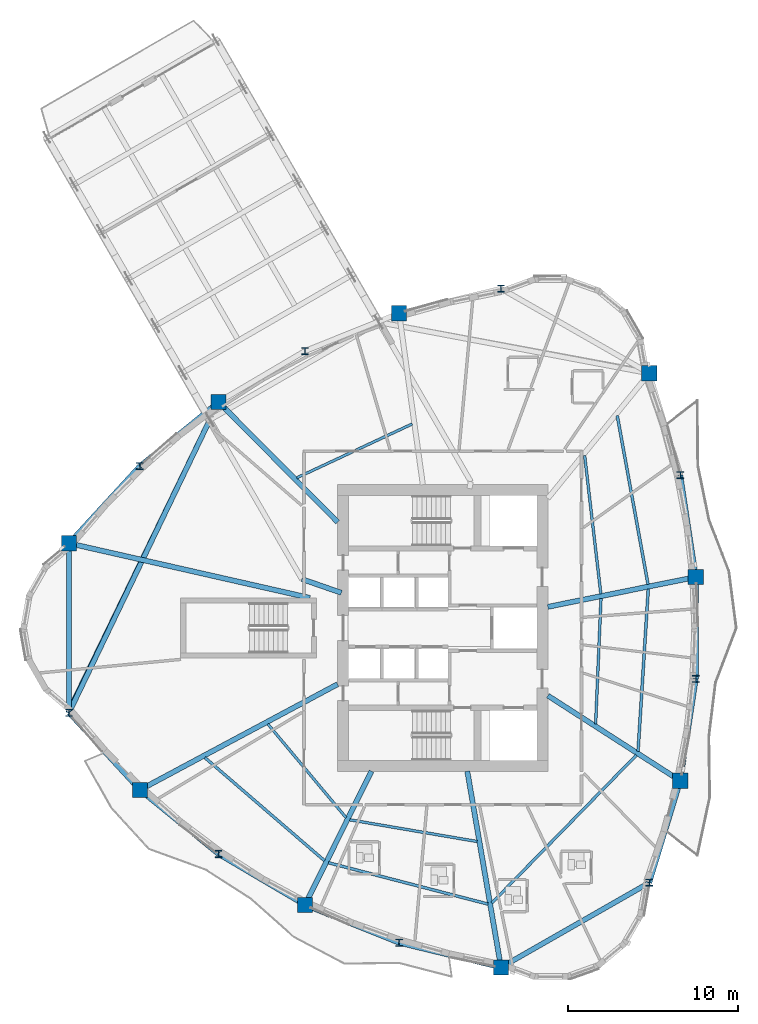
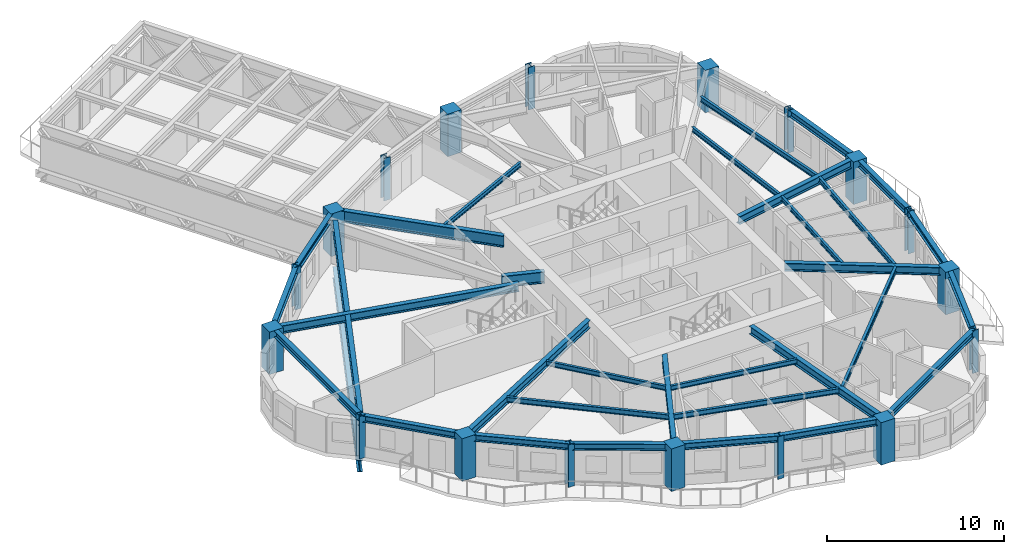
# One storey, part 1 of 16: 33 beams, 18 columns.
"""IFC4 building model written with IfcOpenShell, lengths in metres."""

import ifcopenshell
import ifcopenshell.guid

model = None  # the IFC model being written
_history = None  # IfcOwnerHistory: only IFC2X3 demands one
_inside = {}  # id of a spatial element -> (the spatial element, [elements in it])
_under = {}  # id of a project, library or spatial element -> (it, [spatial elements below it])
_declared = {}  # id of a project -> (the project, [libraries it declares])
_typed = {}  # id of a type object -> (the type object, [elements of that type])
_made_of = {}  # id of a material, layer set ... -> (it, [elements and type objects made of it])


def new_model(schema):
    """Start an empty IFC model of exactly this schema.

    Asked for "IFC4X3", IfcOpenShell would pick the latest addendum, in which some entities
    have other attributes; the version numbers below select the first issue.
    IFC2X3 requires an IfcOwnerHistory on every rooted entity: one is made here for all.
    """
    global model, _history
    if schema == "IFC4X3":
        model = ifcopenshell.file(schema_version=(4, 3, 0, 0))
    else:
        model = ifcopenshell.file(schema=schema)
    _inside.clear()
    _under.clear()
    _declared.clear()
    _typed.clear()
    _made_of.clear()
    _history = None
    if model.schema == "IFC2X3":
        org = make("IfcOrganization", Name="unknown")
        user = make(
            "IfcPersonAndOrganization",
            ThePerson=make("IfcPerson", FamilyName="unknown"),
            TheOrganization=org,
        )
        app = make(
            "IfcApplication",
            ApplicationDeveloper=org,
            Version="unknown",
            ApplicationFullName="unknown",
            ApplicationIdentifier="unknown",
        )
        _history = make(
            "IfcOwnerHistory",
            OwningUser=user,
            OwningApplication=app,
            ChangeAction="ADDED",
            CreationDate=0,
        )
    return model


def make(cls, **values):
    """One entity of the class cls with the attributes given. An attribute that is None is left unset."""
    return model.create_entity(
        cls, **{name: value for name, value in values.items() if value is not None}
    )


def rooted(cls, **values):
    """An entity with a GlobalId (a new one), such as an element, a storey or a relation."""
    return make(cls, GlobalId=ifcopenshell.guid.new(), OwnerHistory=_history, **values)


def si_unit(unit_type, name, prefix=None):
    """IfcSIUnit, for example si_unit("LENGTHUNIT", "METRE", prefix="MILLI")."""
    return make("IfcSIUnit", UnitType=unit_type, Prefix=prefix, Name=name)


def assignment(units):
    """IfcUnitAssignment: the units of a project."""
    return None if units is None else make("IfcUnitAssignment", Units=units)


def point(xyz):
    """IfcCartesianPoint."""
    return None if xyz is None else make("IfcCartesianPoint", Coordinates=xyz)


def direction(xyz):
    """IfcDirection."""
    return None if xyz is None else make("IfcDirection", DirectionRatios=xyz)


def frame(location, z_axis=None, x_axis=None):
    """IfcAxis2Placement3D, a coordinate frame: its origin and axes. An axis left out is left unset."""
    return make(
        "IfcAxis2Placement3D",
        Location=point(location),
        Axis=direction(z_axis),
        RefDirection=direction(x_axis),
    )


def frame_2d(location, x_axis=None):
    """IfcAxis2Placement2D, a coordinate frame in the plane: its origin and x axis."""
    return make(
        "IfcAxis2Placement2D", Location=point(location), RefDirection=direction(x_axis)
    )


def origin():
    """The frame at (0, 0, 0) with its axes left unset."""
    return frame((0.0, 0.0, 0.0))


def origin_2d():
    """The frame at (0, 0) in the plane with its x axis left unset."""
    return frame_2d((0.0, 0.0))


def place(relative_to, where):
    """IfcLocalPlacement: puts the frame where relative to a parent placement (None: the world)."""
    return make(
        "IfcLocalPlacement", PlacementRelTo=relative_to, RelativePlacement=where
    )


def context(
    kind, dimensions, precision=None, world=None, true_north=None, identifier=None
):
    """IfcGeometricRepresentationContext, for example the 3D "Model" context."""
    return make(
        "IfcGeometricRepresentationContext",
        ContextIdentifier=identifier,
        ContextType=kind,
        CoordinateSpaceDimension=dimensions,
        Precision=precision,
        WorldCoordinateSystem=world,
        TrueNorth=true_north,
    )


def subcontext(parent, identifier, kind, view, scale=None):
    """IfcGeometricRepresentationSubContext, for example "Body" below "Model"."""
    return make(
        "IfcGeometricRepresentationSubContext",
        ContextIdentifier=identifier,
        ContextType=kind,
        ParentContext=parent,
        TargetScale=scale,
        TargetView=view,
    )


def project(units=None, contexts=None):
    """IfcProject with its units and contexts."""
    return rooted(
        "IfcProject",
        Name="project",
        RepresentationContexts=contexts,
        UnitsInContext=assignment(units),
    )


def spatial(cls, under=None, at=None, **own):
    """A site, building, storey or space (cls), placed at a placement, below another one or the project."""
    s = rooted(cls, ObjectPlacement=at, **own)
    if under is not None:
        _under.setdefault(under.id(), (under, []))[1].append(s)
    return s


def profile(cls, at=None, kind="AREA", **sizes):
    """A parametric profile (cls). Its sizes go by their IFC names, for example OverallWidth=200.0."""
    return make(cls, ProfileType=kind, Position=at, **sizes)


def rectangle(**sizes):
    """IfcRectangleProfileDef."""
    return profile("IfcRectangleProfileDef", **sizes)


def i_section(**sizes):
    """IfcIShapeProfileDef."""
    return profile("IfcIShapeProfileDef", **sizes)


def extrude(swept, where, along, depth):
    """IfcExtrudedAreaSolid: the profile swept, set in the frame where, extruded along a direction by depth."""
    return make(
        "IfcExtrudedAreaSolid",
        SweptArea=swept,
        Position=where,
        ExtrudedDirection=direction(along),
        Depth=depth,
    )


def shape(context_of_items, identifier, shape_type, items):
    """IfcShapeRepresentation: the items that make up one representation, for example the "Body"."""
    return make(
        "IfcShapeRepresentation",
        ContextOfItems=context_of_items,
        RepresentationIdentifier=identifier,
        RepresentationType=shape_type,
        Items=items,
    )


def source(mapping_origin, context_of_items, identifier, shape_type, items):
    """IfcRepresentationMap: a shape defined once, which mapped items show again and again."""
    return make(
        "IfcRepresentationMap",
        MappingOrigin=mapping_origin,
        MappedRepresentation=shape(context_of_items, identifier, shape_type, items),
    )


def transform(
    local_origin,
    x_axis=None,
    y_axis=None,
    z_axis=None,
    scale=None,
    scale2=None,
    scale3=None,
    uniform=True,
):
    """IfcCartesianTransformationOperator3D, or its non-uniform kind. x_axis, y_axis, z_axis: its Axis1, 2, 3."""
    if uniform:
        return make(
            "IfcCartesianTransformationOperator3D",
            Axis1=direction(x_axis),
            Axis2=direction(y_axis),
            LocalOrigin=point(local_origin),
            Scale=scale,
            Axis3=direction(z_axis),
        )
    return make(
        "IfcCartesianTransformationOperator3DnonUniform",
        Axis1=direction(x_axis),
        Axis2=direction(y_axis),
        LocalOrigin=point(local_origin),
        Scale=scale,
        Axis3=direction(z_axis),
        Scale2=scale2,
        Scale3=scale3,
    )


def mapped(mapping_source, mapping_target):
    """IfcMappedItem: shows the shape of a source again, moved by a transform."""
    return make(
        "IfcMappedItem", MappingSource=mapping_source, MappingTarget=mapping_target
    )


def material(Name=None, Category=None):
    """IfcMaterial."""
    return make("IfcMaterial", Name=Name, Category=Category)


def material_profile(
    of_material, cross_section, Name=None, Category=None, Priority=None
):
    """IfcMaterialProfile: a cross section and its material."""
    return make(
        "IfcMaterialProfile",
        Name=Name,
        Material=of_material,
        Profile=cross_section,
        Priority=Priority,
        Category=Category,
    )


def profile_set(profiles, Name=None, composite=None):
    """IfcMaterialProfileSet."""
    return make(
        "IfcMaterialProfileSet",
        Name=Name,
        MaterialProfiles=profiles,
        CompositeProfile=composite,
    )


def made_of(thing, what):
    """Note that an element or type object is made of a material, layer set ...; save() writes the relation."""
    if what is not None:
        _made_of.setdefault(what.id(), (what, []))[1].append(thing)
    return thing


def type_object(cls, material=None, **own):
    """A type object (cls), such as IfcWallType, which elements share."""
    return made_of(rooted(cls, **own), material)


def element(
    cls,
    number,
    at=None,
    inside=None,
    cuts=None,
    type_object=None,
    material=None,
    context=None,
    identifier="Body",
    shape_type=None,
    held_by="IfcProductDefinitionShape",
    body=None,
    shapes=None,
    **own,
):
    """One element of the class cls, such as IfcWall. Its Tag is "e" and its number.

    at: its placement. inside: the storey or other place that contains it. cuts: it is an
    opening in that element (IfcRelVoidsElement). A single representation is given by context,
    identifier, shape_type and body (its items); several are given by shapes. held_by: the class
    of the entity that holds the representations. save() writes the other relations.
    """
    e = rooted(cls, Tag="e%d" % number, ObjectPlacement=at, **own)
    if body is not None:
        shapes = [shape(context, identifier, shape_type, body)]
    if shapes is not None:
        e.Representation = make(held_by, Representations=shapes)
    if inside is not None:
        _inside.setdefault(inside.id(), (inside, []))[1].append(e)
    if cuts is not None:
        rooted(
            "IfcRelVoidsElement", RelatingBuildingElement=cuts, RelatedOpeningElement=e
        )
    if type_object is not None:
        _typed.setdefault(type_object.id(), (type_object, []))[1].append(e)
    return made_of(e, material)


def aggregate(whole, parts):
    """IfcRelAggregates: a whole, such as a stair, and the parts it consists of."""
    return rooted("IfcRelAggregates", RelatingObject=whole, RelatedObjects=parts)


def save(model, path):
    """Write the relations noted so far, then the file.

    IfcRelAggregates (storeys below a building ...), IfcRelContainedInSpatialStructure (elements
    in a storey), IfcRelDefinesByType, IfcRelAssociatesMaterial and IfcRelDeclares: one each for
    every whole, place, type object, material and project.
    """
    for whole, parts in _under.values():
        aggregate(whole, parts)
    for where, things in _inside.values():
        rooted(
            "IfcRelContainedInSpatialStructure",
            RelatedElements=things,
            RelatingStructure=where,
        )
    for kind, things in _typed.values():
        rooted("IfcRelDefinesByType", RelatedObjects=things, RelatingType=kind)
    for what, things in _made_of.values():
        rooted("IfcRelAssociatesMaterial", RelatedObjects=things, RelatingMaterial=what)
    for by, libraries in _declared.values():
        rooted("IfcRelDeclares", RelatingContext=by, RelatedDefinitions=libraries)
    model.write(path)


model = new_model("IFC4")

# Units and contexts
model_context = context("Model", 3, precision=1e-05, world=origin(), true_north=direction((0.0, 1.0)))
body_context = subcontext(model_context, "Body", "Model", "MODEL_VIEW")
ifc_project = project(units=[si_unit("LENGTHUNIT", "METRE"), si_unit("AREAUNIT", "SQUARE_METRE"), si_unit("VOLUMEUNIT", "CUBIC_METRE"), si_unit("PLANEANGLEUNIT", "RADIAN"), si_unit("MASSUNIT", "GRAM", prefix="KILO")], contexts=[model_context])

# Site, building, storey
site_placement = place(None, origin())
site = spatial("IfcSite", under=ifc_project, at=site_placement, CompositionType="ELEMENT")
building_placement = place(site_placement, origin())
building = spatial("IfcBuilding", under=site, at=building_placement, Name="Qafzar Sky-Pleat Residences", CompositionType="ELEMENT")
storey_placement = place(building_placement, frame((0.0, 0.0, 80.0)))
storey = spatial("IfcBuildingStorey", under=building, at=storey_placement, Name="L23", CompositionType="ELEMENT", Elevation=80.0)

# Columns
ifc_material_1 = material(Name="Concrete C60/75", Category="concrete")
ifc_material_profile_1 = material_profile(ifc_material_1, rectangle(XDim=0.89990234375, YDim=0.89990234375, at=origin_2d()), Name="RC 900x900")
ifc_profile_set_1 = profile_set([ifc_material_profile_1], Name="Concrete C60/75")
column_type_1 = type_object("IfcColumnType", Name="COL-RC-900", PredefinedType="COLUMN", material=ifc_profile_set_1)
shared_shape_1 = source(origin(), body_context, "Body", "SweptSolid", [
    extrude(rectangle(XDim=0.89990234375, YDim=0.89990234375, at=origin_2d()), origin(), (0.0, 0.0, 1.0), 2.93505859375),
])
for number, where, z_axis, x_axis, name in (
    (1, (8.310302734375, 30.996337890625, 0.0), (0.0, 0.0, 1.0), (1.0, 0.0, 0.0), "L23 Perimeter Mega Column 1"),
    (2, (12.49267578125, 16.45068359375, 0.0), (0.0, 0.0, 1.0), (1.0, 0.0, 0.0), "L23 Perimeter Mega Column 3"),
    (3, (22.2265625, 9.668701171875, 0.0), (0.0, 0.0, 1.0), (1.0, 0.0, 0.0), "L23 Perimeter Mega Column 5"),
    (4, (33.787109375, 5.984619140625, 0.0), (0.0, 0.0, 1.0), (1.0, 0.0, 0.0), "L23 Perimeter Mega Column 7"),
    (5, (44.35888671875, 16.988525390625, 0.0), (0.0, 0.0, 1.0), (1.0, 0.0, 0.0), "L23 Perimeter Mega Column 9"),
    (6, (45.27197265625, 29.00390625, 0.0), (0.0, 0.0, 1.0), (1.0, 0.0, 0.0), "L23 Perimeter Mega Column 11"),
    (7, (42.532470703125, 41.01904296875, 0.0), (0.0, 0.0, 1.0), (1.0, 0.0, 0.0), "L23 Perimeter Mega Column 13"),
    (8, (27.778564453125, 44.560546875, 0.0), (0.0, 0.0, 1.0), (1.0, 0.0, 0.0), "L23 Perimeter Mega Column 15"),
    (9, (17.13134765625, 39.327392578125, 0.0), (0.0, 0.0, 1.0), (1.0, 0.0, 0.0), "L23 Perimeter Mega Column 17"),
):
    element("IfcColumn", number, at=place(storey_placement, frame(where, z_axis=z_axis, x_axis=x_axis)), inside=storey, type_object=column_type_1, Name=name, PredefinedType="COLUMN", context=body_context, shape_type="MappedRepresentation", body=[
        mapped(shared_shape_1, transform((0.0, 0.0, 0.0), x_axis=(1.0, 0.0, 0.0), y_axis=(0.0, 1.0, 0.0), z_axis=(0.0, 0.0, 1.0), scale=1.0)),
    ])
ifc_material_2 = material(Name="Steel S460", Category="steel")
ifc_material_profile_2 = material_profile(ifc_material_2, i_section(OverallWidth=0.406005859375, OverallDepth=0.416015625, WebThickness=0.027099609375, FlangeThickness=0.0439453125, FilletRadius=0.014892578125, at=origin_2d()), Name="HD 400x382")
ifc_profile_set_2 = profile_set([ifc_material_profile_2], Name="Steel S460")
column_type_2 = type_object("IfcColumnType", Name="COL-STL-HD382", PredefinedType="PILASTER", material=ifc_profile_set_2)
shared_shape_2 = source(origin(), body_context, "Body", "SweptSolid", [
    extrude(i_section(OverallWidth=0.406005859375, OverallDepth=0.416015625, WebThickness=0.027099609375, FlangeThickness=0.0439453125, FilletRadius=0.014892578125, at=origin_2d()), origin(), (0.0, 0.0, 1.0), 2.93505859375),
])
for number, where, z_axis, x_axis, name in (
    (10, (8.310302734375, 21.003662109375, 0.0), (0.0, 0.0, 1.0), (1.0, 0.0, 0.0), "L23 Perimeter Mega Column 2"),
    (11, (17.13134765625, 12.672607421875, 0.0), (0.0, 0.0, 1.0), (1.0, 0.0, 0.0), "L23 Perimeter Mega Column 4"),
    (12, (27.778564453125, 7.439453125, 0.0), (0.0, 0.0, 1.0), (1.0, 0.0, 0.0), "L23 Perimeter Mega Column 6"),
    (13, (42.532470703125, 10.98095703125, 0.0), (0.0, 0.0, 1.0), (1.0, 0.0, 0.0), "L23 Perimeter Mega Column 8"),
    (14, (45.27197265625, 22.99609375, 0.0), (0.0, 0.0, 1.0), (1.0, 0.0, 0.0), "L23 Perimeter Mega Column 10"),
    (15, (44.35888671875, 35.011474609375, 0.0), (0.0, 0.0, 1.0), (1.0, 0.0, 0.0), "L23 Perimeter Mega Column 12"),
    (16, (33.787109375, 46.015380859375, 0.0), (0.0, 0.0, 1.0), (1.0, 0.0, 0.0), "L23 Perimeter Mega Column 14"),
    (17, (22.2265625, 42.331298828125, 0.0), (0.0, 0.0, 1.0), (1.0, 0.0, 0.0), "L23 Perimeter Mega Column 16"),
    (18, (12.49267578125, 35.54931640625, 0.0), (0.0, 0.0, 1.0), (1.0, 0.0, 0.0), "L23 Perimeter Mega Column 18"),
):
    element("IfcColumn", number, at=place(storey_placement, frame(where, z_axis=z_axis, x_axis=x_axis)), inside=storey, type_object=column_type_2, Name=name, PredefinedType="PILASTER", context=body_context, shape_type="MappedRepresentation", body=[
        mapped(shared_shape_2, transform((0.0, 0.0, 0.0), x_axis=(1.0, 0.0, 0.0), y_axis=(0.0, 1.0, 0.0), z_axis=(0.0, 0.0, 1.0), scale=1.0)),
    ])

# Beams
ifc_material_3 = material(Name="Steel S355", Category="steel")
ifc_material_profile_3 = material_profile(ifc_material_3, i_section(OverallWidth=0.300048828125, OverallDepth=0.449951171875, WebThickness=0.013916015625, FlangeThickness=0.02587890625, FilletRadius=0.027099609375, at=origin_2d()), Name="HEB 450")
ifc_profile_set_3 = profile_set([ifc_material_profile_3], Name="Steel S355")
beam_type_1 = type_object("IfcBeamType", Name="BM-SPAN-HEB450", PredefinedType="SPANDREL", material=ifc_profile_set_3)
shared_shape_3 = source(origin(), body_context, "Body", "SweptSolid", [
    extrude(i_section(OverallWidth=0.300048828125, OverallDepth=0.449951171875, WebThickness=0.013916015625, FlangeThickness=0.02587890625, FilletRadius=0.027099609375, at=origin_2d()), origin(), (0.0, 0.0, 1.0), 10.072021484375),
])
beam_1_placement = place(storey_placement, frame((33.787109375, 5.984619140625, 2.7080078125), z_axis=(0.868286397172, 0.496063234363, 0.0), x_axis=(-0.496063234363, 0.868286397172, 0.0)))
element("IfcBeam", 19, at=beam_1_placement, inside=storey, type_object=beam_type_1, Name="L23 Perimeter Spandrel Beam 7", PredefinedType="SPANDREL", context=body_context, shape_type="MappedRepresentation", body=[
    mapped(shared_shape_3, transform((0.0, 0.0, 0.0), x_axis=(1.0, 0.0, 0.0), y_axis=(0.0, 1.0, 0.0), z_axis=(0.0, 0.0, 1.0), scale=1.0)),
])
shared_shape_4 = source(origin(), body_context, "Body", "SweptSolid", [
    extrude(i_section(OverallWidth=0.300048828125, OverallDepth=0.449951171875, WebThickness=0.013916015625, FlangeThickness=0.02587890625, FilletRadius=0.027099609375, at=origin_2d()), origin(), (0.0, 0.0, 1.0), 9.99267578125),
])
beam_2_placement = place(storey_placement, frame((8.310302734375, 30.996337890625, 2.7080078125), z_axis=(0.0, -1.0, 0.0), x_axis=(1.0, 0.0, 0.0)))
element("IfcBeam", 20, at=beam_2_placement, inside=storey, type_object=beam_type_1, Name="L23 Perimeter Spandrel Beam 1", PredefinedType="SPANDREL", context=body_context, shape_type="MappedRepresentation", body=[
    mapped(shared_shape_4, transform((0.0, 0.0, 0.0), x_axis=(1.0, 0.0, 0.0), y_axis=(0.0, 1.0, 0.0), z_axis=(0.0, 0.0, 1.0), scale=1.0)),
])
shared_shape_5 = source(origin(), body_context, "Body", "SweptSolid", [
    extrude(i_section(OverallWidth=0.300048828125, OverallDepth=0.449951171875, WebThickness=0.013916015625, FlangeThickness=0.02587890625, FilletRadius=0.027099609375, at=origin_2d()), origin(), (0.0, 0.0, 1.0), 6.182373046875),
])
for number, where, z_axis, x_axis, name in (
    (21, (8.310302734375, 21.003662109375, 2.7080078125), (0.67649855248, -0.736443961543, 0.0), (0.736443961543, 0.67649855248, 0.0), "L23 Perimeter Spandrel Beam 2"),
    (22, (12.49267578125, 35.54931640625, 2.7080078125), (-0.67649855248, -0.736443961543, 0.0), (0.736443961543, -0.67649855248, 0.0), "L23 Perimeter Spandrel Beam 18"),
):
    element("IfcBeam", number, at=place(storey_placement, frame(where, z_axis=z_axis, x_axis=x_axis)), inside=storey, type_object=beam_type_1, Name=name, PredefinedType="SPANDREL", context=body_context, shape_type="MappedRepresentation", body=[
        mapped(shared_shape_5, transform((0.0, 0.0, 0.0), x_axis=(1.0, 0.0, 0.0), y_axis=(0.0, 1.0, 0.0), z_axis=(0.0, 0.0, 1.0), scale=1.0)),
    ])
shared_shape_6 = source(origin(), body_context, "Body", "SweptSolid", [
    extrude(i_section(OverallWidth=0.300048828125, OverallDepth=0.449951171875, WebThickness=0.013916015625, FlangeThickness=0.02587890625, FilletRadius=0.027099609375, at=origin_2d()), origin(), (0.0, 0.0, 1.0), 5.982666015625),
])
for number, where, z_axis, x_axis, name in (
    (23, (12.49267578125, 16.45068359375, 2.7080078125), (0.775364493813, -0.631513975882, 0.0), (0.631513975882, 0.775364493813, 0.0), "L23 Perimeter Spandrel Beam 3"),
    (24, (17.13134765625, 39.327392578125, 2.7080078125), (-0.775364493813, -0.631513975882, 0.0), (0.631513975882, -0.775364493813, 0.0), "L23 Perimeter Spandrel Beam 17"),
):
    element("IfcBeam", number, at=place(storey_placement, frame(where, z_axis=z_axis, x_axis=x_axis)), inside=storey, type_object=beam_type_1, Name=name, PredefinedType="SPANDREL", context=body_context, shape_type="MappedRepresentation", body=[
        mapped(shared_shape_6, transform((0.0, 0.0, 0.0), x_axis=(1.0, 0.0, 0.0), y_axis=(0.0, 1.0, 0.0), z_axis=(0.0, 0.0, 1.0), scale=1.0)),
    ])
shared_shape_7 = source(origin(), body_context, "Body", "SweptSolid", [
    extrude(i_section(OverallWidth=0.300048828125, OverallDepth=0.449951171875, WebThickness=0.013916015625, FlangeThickness=0.02587890625, FilletRadius=0.027099609375, at=origin_2d()), origin(), (0.0, 0.0, 1.0), 5.914794921875),
])
beam_3_placement = place(storey_placement, frame((17.13134765625, 12.672607421875, 2.7080078125), z_axis=(0.861437212356, -0.50786408533, 0.0), x_axis=(0.50786408533, 0.861437212356, 0.0)))
element("IfcBeam", 25, at=beam_3_placement, inside=storey, type_object=beam_type_1, Name="L23 Perimeter Spandrel Beam 4", PredefinedType="SPANDREL", context=body_context, shape_type="MappedRepresentation", body=[
    mapped(shared_shape_7, transform((0.0, 0.0, 0.0), x_axis=(1.0, 0.0, 0.0), y_axis=(0.0, 1.0, 0.0), z_axis=(0.0, 0.0, 1.0), scale=1.0)),
])
shared_shape_8 = source(origin(), body_context, "Body", "SweptSolid", [
    extrude(i_section(OverallWidth=0.300048828125, OverallDepth=0.449951171875, WebThickness=0.013916015625, FlangeThickness=0.02587890625, FilletRadius=0.027099609375, at=origin_2d()), origin(), (0.0, 0.0, 1.0), 5.98291015625),
])
beam_4_placement = place(storey_placement, frame((22.2265625, 9.668701171875, 2.7080078125), z_axis=(0.927989024901, -0.372607527653, 0.0), x_axis=(0.372607527653, 0.927989024901, 0.0)))
element("IfcBeam", 26, at=beam_4_placement, inside=storey, type_object=beam_type_1, Name="L23 Perimeter Spandrel Beam 5", PredefinedType="SPANDREL", context=body_context, shape_type="MappedRepresentation", body=[
    mapped(shared_shape_8, transform((0.0, 0.0, 0.0), x_axis=(1.0, 0.0, 0.0), y_axis=(0.0, 1.0, 0.0), z_axis=(0.0, 0.0, 1.0), scale=1.0)),
])
shared_shape_9 = source(origin(), body_context, "Body", "SweptSolid", [
    extrude(i_section(OverallWidth=0.300048828125, OverallDepth=0.449951171875, WebThickness=0.013916015625, FlangeThickness=0.02587890625, FilletRadius=0.027099609375, at=origin_2d()), origin(), (0.0, 0.0, 1.0), 6.18212890625),
])
beam_5_placement = place(storey_placement, frame((27.778564453125, 7.439453125, 2.7080078125), z_axis=(0.971916102979, -0.235327620074, 0.0), x_axis=(0.235327620074, 0.971916102979, 0.0)))
element("IfcBeam", 27, at=beam_5_placement, inside=storey, type_object=beam_type_1, Name="L23 Perimeter Spandrel Beam 6", PredefinedType="SPANDREL", context=body_context, shape_type="MappedRepresentation", body=[
    mapped(shared_shape_9, transform((0.0, 0.0, 0.0), x_axis=(1.0, 0.0, 0.0), y_axis=(0.0, 1.0, 0.0), z_axis=(0.0, 0.0, 1.0), scale=1.0)),
])
shared_shape_10 = source(origin(), body_context, "Body", "SweptSolid", [
    extrude(i_section(OverallWidth=0.300048828125, OverallDepth=0.449951171875, WebThickness=0.013916015625, FlangeThickness=0.02587890625, FilletRadius=0.027099609375, at=origin_2d()), origin(), (0.0, 0.0, 1.0), 6.279052734375),
])
beam_6_placement = place(storey_placement, frame((42.532470703125, 10.98095703125, 2.7080078125), z_axis=(0.290873824385, 0.956761421822, 0.0), x_axis=(-0.956761421822, 0.290873824385, 0.0)))
element("IfcBeam", 28, at=beam_6_placement, inside=storey, type_object=beam_type_1, Name="L23 Perimeter Spandrel Beam 8", PredefinedType="SPANDREL", context=body_context, shape_type="MappedRepresentation", body=[
    mapped(shared_shape_10, transform((0.0, 0.0, 0.0), x_axis=(1.0, 0.0, 0.0), y_axis=(0.0, 1.0, 0.0), z_axis=(0.0, 0.0, 1.0), scale=1.0)),
])
shared_shape_11 = source(origin(), body_context, "Body", "SweptSolid", [
    extrude(i_section(OverallWidth=0.300048828125, OverallDepth=0.449951171875, WebThickness=0.013916015625, FlangeThickness=0.02587890625, FilletRadius=0.027099609375, at=origin_2d()), origin(), (0.0, 0.0, 1.0), 6.07666015625),
])
for number, where, z_axis, x_axis, name in (
    (29, (44.35888671875, 16.988525390625, 2.7080078125), (0.150263580775, 0.988645971161, 0.0), (-0.988645971161, 0.150263580775, 0.0), "L23 Perimeter Spandrel Beam 9"),
    (30, (45.27197265625, 29.00390625, 2.7080078125), (-0.150263580775, 0.988645971161, 0.0), (-0.988645971161, -0.150263580775, 0.0), "L23 Perimeter Spandrel Beam 11"),
):
    element("IfcBeam", number, at=place(storey_placement, frame(where, z_axis=z_axis, x_axis=x_axis)), inside=storey, type_object=beam_type_1, Name=name, PredefinedType="SPANDREL", context=body_context, shape_type="MappedRepresentation", body=[
        mapped(shared_shape_11, transform((0.0, 0.0, 0.0), x_axis=(1.0, 0.0, 0.0), y_axis=(0.0, 1.0, 0.0), z_axis=(0.0, 0.0, 1.0), scale=1.0)),
    ])
shared_shape_12 = source(origin(), body_context, "Body", "SweptSolid", [
    extrude(i_section(OverallWidth=0.300048828125, OverallDepth=0.449951171875, WebThickness=0.013916015625, FlangeThickness=0.02587890625, FilletRadius=0.027099609375, at=origin_2d()), origin(), (0.0, 0.0, 1.0), 6.0078125),
])
beam_7_placement = place(storey_placement, frame((45.27197265625, 22.99609375, 2.7080078125), z_axis=(0.0, 1.0, 0.0), x_axis=(-1.0, 0.0, 0.0)))
element("IfcBeam", 31, at=beam_7_placement, inside=storey, type_object=beam_type_1, Name="L23 Perimeter Spandrel Beam 10", PredefinedType="SPANDREL", context=body_context, shape_type="MappedRepresentation", body=[
    mapped(shared_shape_12, transform((0.0, 0.0, 0.0), x_axis=(1.0, 0.0, 0.0), y_axis=(0.0, 1.0, 0.0), z_axis=(0.0, 0.0, 1.0), scale=1.0)),
])
ifc_material_profile_4 = material_profile(ifc_material_3, i_section(OverallWidth=0.300048828125, OverallDepth=0.550048828125, WebThickness=0.014892578125, FlangeThickness=0.029052734375, FilletRadius=0.027099609375, at=origin_2d()), Name="HEB 550")
ifc_profile_set_4 = profile_set([ifc_material_profile_4], Name="Steel S355")
beam_type_2 = type_object("IfcBeamType", Name="BM-GIRD-HEB550", PredefinedType="BEAM", material=ifc_profile_set_4)
shared_shape_13 = source(origin(), body_context, "Body", "SweptSolid", [
    extrude(i_section(OverallWidth=0.300048828125, OverallDepth=0.550048828125, WebThickness=0.014892578125, FlangeThickness=0.029052734375, FilletRadius=0.027099609375, at=origin_2d()), origin(), (0.0, 0.0, 1.0), 14.570556640625),
])
beam_8_placement = place(storey_placement, frame((8.310302734375, 30.996337890625, 2.657958984375), z_axis=(0.975252866823, -0.221092391893, 0.0), x_axis=(0.221092391893, 0.975252866823, 0.0)))
element("IfcBeam", 32, at=beam_8_placement, inside=storey, type_object=beam_type_2, Name="L23 Radial Floor Girder 1", PredefinedType="BEAM", context=body_context, shape_type="MappedRepresentation", body=[
    mapped(shared_shape_13, transform((0.0, 0.0, 0.0), x_axis=(1.0, 0.0, 0.0), y_axis=(0.0, 1.0, 0.0), z_axis=(0.0, 0.0, 1.0), scale=1.0)),
])
shared_shape_14 = source(origin(), body_context, "Body", "SweptSolid", [
    extrude(i_section(OverallWidth=0.300048828125, OverallDepth=0.550048828125, WebThickness=0.014892578125, FlangeThickness=0.029052734375, FilletRadius=0.027099609375, at=origin_2d()), origin(), (0.0, 0.0, 1.0), 13.219482421875),
])
beam_9_placement = place(storey_placement, frame((12.49267578125, 16.45068359375, 2.657958984375), z_axis=(0.881827865718, 0.471571431751, 0.0), x_axis=(-0.471571431751, 0.881827865718, 0.0)))
element("IfcBeam", 33, at=beam_9_placement, inside=storey, type_object=beam_type_2, Name="L23 Radial Floor Girder 3", PredefinedType="BEAM", context=body_context, shape_type="MappedRepresentation", body=[
    mapped(shared_shape_14, transform((0.0, 0.0, 0.0), x_axis=(1.0, 0.0, 0.0), y_axis=(0.0, 1.0, 0.0), z_axis=(0.0, 0.0, 1.0), scale=1.0)),
])
shared_shape_15 = source(origin(), body_context, "Body", "SweptSolid", [
    extrude(i_section(OverallWidth=0.300048828125, OverallDepth=0.550048828125, WebThickness=0.014892578125, FlangeThickness=0.029052734375, FilletRadius=0.027099609375, at=origin_2d()), origin(), (0.0, 0.0, 1.0), 8.802490234375),
])
beam_10_placement = place(storey_placement, frame((22.2265625, 9.668701171875, 2.657958984375), z_axis=(0.445371033595, 0.895346102038, 0.0), x_axis=(-0.895346102038, 0.445371033595, 0.0)))
element("IfcBeam", 34, at=beam_10_placement, inside=storey, type_object=beam_type_2, Name="L23 Radial Floor Girder 5", PredefinedType="BEAM", context=body_context, shape_type="MappedRepresentation", body=[
    mapped(shared_shape_15, transform((0.0, 0.0, 0.0), x_axis=(1.0, 0.0, 0.0), y_axis=(0.0, 1.0, 0.0), z_axis=(0.0, 0.0, 1.0), scale=1.0)),
])
shared_shape_16 = source(origin(), body_context, "Body", "SweptSolid", [
    extrude(i_section(OverallWidth=0.300048828125, OverallDepth=0.550048828125, WebThickness=0.014892578125, FlangeThickness=0.029052734375, FilletRadius=0.027099609375, at=origin_2d()), origin(), (0.0, 0.0, 1.0), 11.734619140625),
])
beam_11_placement = place(storey_placement, frame((33.787109375, 5.984619140625, 2.657958984375), z_axis=(-0.169248494734, 0.985573410269, 0.0), x_axis=(-0.985573410269, -0.169248494734, 0.0)))
element("IfcBeam", 35, at=beam_11_placement, inside=storey, type_object=beam_type_2, Name="L23 Radial Floor Girder 7", PredefinedType="BEAM", context=body_context, shape_type="MappedRepresentation", body=[
    mapped(shared_shape_16, transform((0.0, 0.0, 0.0), x_axis=(1.0, 0.0, 0.0), y_axis=(0.0, 1.0, 0.0), z_axis=(0.0, 0.0, 1.0), scale=1.0)),
])
shared_shape_17 = source(origin(), body_context, "Body", "SweptSolid", [
    extrude(i_section(OverallWidth=0.300048828125, OverallDepth=0.550048828125, WebThickness=0.014892578125, FlangeThickness=0.029052734375, FilletRadius=0.027099609375, at=origin_2d()), origin(), (0.0, 0.0, 1.0), 9.284912109375),
])
beam_12_placement = place(storey_placement, frame((44.35888671875, 16.988525390625, 2.657958984375), z_axis=(-0.841020389397, 0.54100342385, 0.0), x_axis=(-0.54100342385, -0.841020389397, 0.0)))
element("IfcBeam", 36, at=beam_12_placement, inside=storey, type_object=beam_type_2, Name="L23 Radial Floor Girder 9", PredefinedType="BEAM", context=body_context, shape_type="MappedRepresentation", body=[
    mapped(shared_shape_17, transform((0.0, 0.0, 0.0), x_axis=(1.0, 0.0, 0.0), y_axis=(0.0, 1.0, 0.0), z_axis=(0.0, 0.0, 1.0), scale=1.0)),
])
shared_shape_18 = source(origin(), body_context, "Body", "SweptSolid", [
    extrude(i_section(OverallWidth=0.300048828125, OverallDepth=0.550048828125, WebThickness=0.014892578125, FlangeThickness=0.029052734375, FilletRadius=0.027099609375, at=origin_2d()), origin(), (0.0, 0.0, 1.0), 8.89697265625),
])
beam_13_placement = place(storey_placement, frame((45.27197265625, 29.00390625, 2.657958984375), z_axis=(-0.980331866543, -0.197356103126, 0.0), x_axis=(0.197356103126, -0.980331866543, 0.0)))
element("IfcBeam", 37, at=beam_13_placement, inside=storey, type_object=beam_type_2, Name="L23 Radial Floor Girder 11", PredefinedType="BEAM", context=body_context, shape_type="MappedRepresentation", body=[
    mapped(shared_shape_18, transform((0.0, 0.0, 0.0), x_axis=(1.0, 0.0, 0.0), y_axis=(0.0, 1.0, 0.0), z_axis=(0.0, 0.0, 1.0), scale=1.0)),
])
ifc_material_profile_5 = material_profile(ifc_material_2, i_section(OverallWidth=0.300048828125, OverallDepth=0.800048828125, WebThickness=0.017578125, FlangeThickness=0.032958984375, FilletRadius=0.030029296875, at=origin_2d()), Name="HEB 800")
ifc_profile_set_5 = profile_set([ifc_material_profile_5], Name="Steel S460")
beam_type_3 = type_object("IfcBeamType", Name="BM-CHORD-HEB800", PredefinedType="BEAM", material=ifc_profile_set_5)
shared_shape_19 = source(origin(), body_context, "Body", "SweptSolid", [
    extrude(i_section(OverallWidth=0.300048828125, OverallDepth=0.800048828125, WebThickness=0.017578125, FlangeThickness=0.032958984375, FilletRadius=0.030029296875, at=origin_2d()), origin(), (0.0, 0.0, 1.0), 9.966796875),
])
beam_14_placement = place(storey_placement, frame((17.13134765625, 39.327392578125, 2.532958984375), z_axis=(0.704198100427, -0.710003546016, 0.0), x_axis=(0.710003546016, 0.704198100427, 0.0)))
element("IfcBeam", 38, at=beam_14_placement, inside=storey, type_object=beam_type_3, Name="L23 Radial Floor Girder 17", PredefinedType="BEAM", context=body_context, shape_type="MappedRepresentation", body=[
    mapped(shared_shape_19, transform((0.0, 0.0, 0.0), x_axis=(1.0, 0.0, 0.0), y_axis=(0.0, 1.0, 0.0), z_axis=(0.0, 0.0, 1.0), scale=1.0)),
])
ifc_material_profile_6 = material_profile(ifc_material_3, i_section(OverallWidth=0.169921875, OverallDepth=0.360107421875, WebThickness=0.008056640625, FlangeThickness=0.0126953125, FilletRadius=0.01806640625, at=origin_2d()), Name="IPE 360")
ifc_profile_set_6 = profile_set([ifc_material_profile_6], Name="Steel S355")
beam_type_4 = type_object("IfcBeamType", Name="BM-JST-IPE360", PredefinedType="JOIST", material=ifc_profile_set_6)
shared_shape_20 = source(origin(), body_context, "Body", "SweptSolid", [
    extrude(i_section(OverallWidth=0.169921875, OverallDepth=0.360107421875, WebThickness=0.008056640625, FlangeThickness=0.0126953125, FilletRadius=0.01806640625, at=origin_2d()), origin(), (0.0, 0.0, 1.0), 9.3115234375),
])
beam_15_placement = place(storey_placement, frame((16.3251953125, 18.357421875, 2.7529296875), z_axis=(0.757525307133, -0.652805797349, 0.0), x_axis=(0.652805797349, 0.757525307133, 0.0)))
element("IfcBeam", 39, at=beam_15_placement, inside=storey, type_object=beam_type_4, Name="L23 Outer Secondary Floor Joist 2", PredefinedType="JOIST", context=body_context, shape_type="MappedRepresentation", body=[
    mapped(shared_shape_20, transform((0.0, 0.0, 0.0), x_axis=(1.0, 0.0, 0.0), y_axis=(0.0, 1.0, 0.0), z_axis=(0.0, 0.0, 1.0), scale=1.0)),
])
shared_shape_21 = source(origin(), body_context, "Body", "SweptSolid", [
    extrude(i_section(OverallWidth=0.169921875, OverallDepth=0.360107421875, WebThickness=0.008056640625, FlangeThickness=0.0126953125, FilletRadius=0.01806640625, at=origin_2d()), origin(), (0.0, 0.0, 1.0), 9.719482421875),
])
beam_16_placement = place(storey_placement, frame((23.61181640625, 12.156982421875, 2.7529296875), z_axis=(0.96804321213, -0.250783451307, 0.0), x_axis=(0.250783451307, 0.96804321213, 0.0)))
element("IfcBeam", 40, at=beam_16_placement, inside=storey, type_object=beam_type_4, Name="L23 Outer Secondary Floor Joist 3", PredefinedType="JOIST", context=body_context, shape_type="MappedRepresentation", body=[
    mapped(shared_shape_21, transform((0.0, 0.0, 0.0), x_axis=(1.0, 0.0, 0.0), y_axis=(0.0, 1.0, 0.0), z_axis=(0.0, 0.0, 1.0), scale=1.0)),
])
shared_shape_22 = source(origin(), body_context, "Body", "SweptSolid", [
    extrude(i_section(OverallWidth=0.169921875, OverallDepth=0.360107421875, WebThickness=0.008056640625, FlangeThickness=0.0126953125, FilletRadius=0.01806640625, at=origin_2d()), origin(), (0.0, 0.0, 1.0), 12.189453125),
])
beam_17_placement = place(storey_placement, frame((33.245849609375, 9.781982421875, 2.7529296875), z_axis=(0.698948547423, 0.715171956983, 0.0), x_axis=(-0.715171956983, 0.698948547423, 0.0)))
element("IfcBeam", 41, at=beam_17_placement, inside=storey, type_object=beam_type_4, Name="L23 Outer Secondary Floor Joist 4", PredefinedType="JOIST", context=body_context, shape_type="MappedRepresentation", body=[
    mapped(shared_shape_22, transform((0.0, 0.0, 0.0), x_axis=(1.0, 0.0, 0.0), y_axis=(0.0, 1.0, 0.0), z_axis=(0.0, 0.0, 1.0), scale=1.0)),
])
shared_shape_23 = source(origin(), body_context, "Body", "SweptSolid", [
    extrude(i_section(OverallWidth=0.169921875, OverallDepth=0.360107421875, WebThickness=0.008056640625, FlangeThickness=0.0126953125, FilletRadius=0.01806640625, at=origin_2d()), origin(), (0.0, 0.0, 1.0), 9.595458984375),
])
beam_18_placement = place(storey_placement, frame((41.868408203125, 18.730712890625, 2.7529296875), z_axis=(0.062946940691, 0.998016874936, 0.0), x_axis=(-0.998016874936, 0.062946940691, 0.0)))
element("IfcBeam", 42, at=beam_18_placement, inside=storey, type_object=beam_type_4, Name="L23 Outer Secondary Floor Joist 5", PredefinedType="JOIST", context=body_context, shape_type="MappedRepresentation", body=[
    mapped(shared_shape_23, transform((0.0, 0.0, 0.0), x_axis=(1.0, 0.0, 0.0), y_axis=(0.0, 1.0, 0.0), z_axis=(0.0, 0.0, 1.0), scale=1.0)),
])
shared_shape_24 = source(origin(), body_context, "Body", "SweptSolid", [
    extrude(i_section(OverallWidth=0.169921875, OverallDepth=0.360107421875, WebThickness=0.008056640625, FlangeThickness=0.0126953125, FilletRadius=0.01806640625, at=origin_2d()), origin(), (0.0, 0.0, 1.0), 10.115478515625),
])
beam_19_placement = place(storey_placement, frame((42.456787109375, 28.57470703125, 2.7529296875), z_axis=(-0.179373915619, 0.983780970743, 0.0), x_axis=(-0.983780970743, -0.179373915619, 0.0)))
element("IfcBeam", 43, at=beam_19_placement, inside=storey, type_object=beam_type_4, Name="L23 Outer Secondary Floor Joist 6", PredefinedType="JOIST", context=body_context, shape_type="MappedRepresentation", body=[
    mapped(shared_shape_24, transform((0.0, 0.0, 0.0), x_axis=(1.0, 0.0, 0.0), y_axis=(0.0, 1.0, 0.0), z_axis=(0.0, 0.0, 1.0), scale=1.0)),
])
ifc_material_profile_7 = material_profile(ifc_material_3, i_section(OverallWidth=0.159912109375, OverallDepth=0.330078125, WebThickness=0.007568359375, FlangeThickness=0.011474609375, FilletRadius=0.01806640625, at=origin_2d()), Name="IPE 330")
ifc_profile_set_7 = profile_set([ifc_material_profile_7], Name="Steel S355")
beam_type_5 = type_object("IfcBeamType", Name="BM-JST-IPE330", PredefinedType="JOIST", material=ifc_profile_set_7)
shared_shape_25 = source(origin(), body_context, "Body", "SweptSolid", [
    extrude(i_section(OverallWidth=0.159912109375, OverallDepth=0.330078125, WebThickness=0.007568359375, FlangeThickness=0.011474609375, FilletRadius=0.01806640625, at=origin_2d()), origin(), (0.0, 0.0, 1.0), 7.19189453125),
])
beam_20_placement = place(storey_placement, frame((20.039794921875, 20.3369140625, 2.76806640625), z_axis=(0.640918697045, -0.767608769999, 0.0), x_axis=(0.767608769999, 0.640918697045, 0.0)))
element("IfcBeam", 44, at=beam_20_placement, inside=storey, type_object=beam_type_5, Name="L23 Inner Secondary Floor Joist 2", PredefinedType="JOIST", context=body_context, shape_type="MappedRepresentation", body=[
    mapped(shared_shape_25, transform((0.0, 0.0, 0.0), x_axis=(1.0, 0.0, 0.0), y_axis=(0.0, 1.0, 0.0), z_axis=(0.0, 0.0, 1.0), scale=1.0)),
])
shared_shape_26 = source(origin(), body_context, "Body", "SweptSolid", [
    extrude(i_section(OverallWidth=0.159912109375, OverallDepth=0.330078125, WebThickness=0.007568359375, FlangeThickness=0.011474609375, FilletRadius=0.01806640625, at=origin_2d()), origin(), (0.0, 0.0, 1.0), 7.62255859375),
])
beam_21_placement = place(storey_placement, frame((24.86865234375, 14.68994140625, 2.76806640625), z_axis=(0.985783042332, -0.168023193192, 0.0), x_axis=(0.168023193192, 0.985783042332, 0.0)))
element("IfcBeam", 45, at=beam_21_placement, inside=storey, type_object=beam_type_5, Name="L23 Inner Secondary Floor Joist 3", PredefinedType="JOIST", context=body_context, shape_type="MappedRepresentation", body=[
    mapped(shared_shape_26, transform((0.0, 0.0, 0.0), x_axis=(1.0, 0.0, 0.0), y_axis=(0.0, 1.0, 0.0), z_axis=(0.0, 0.0, 1.0), scale=1.0)),
])
shared_shape_27 = source(origin(), body_context, "Body", "SweptSolid", [
    extrude(i_section(OverallWidth=0.159912109375, OverallDepth=0.330078125, WebThickness=0.007568359375, FlangeThickness=0.011474609375, FilletRadius=0.01806640625, at=origin_2d()), origin(), (0.0, 0.0, 1.0), 7.413818359375),
])
beam_22_placement = place(storey_placement, frame((39.366943359375, 20.33837890625, 2.76806640625), z_axis=(0.042776985231, 0.999084645831, 0.0), x_axis=(-0.999084645831, 0.042776985231, 0.0)))
element("IfcBeam", 46, at=beam_22_placement, inside=storey, type_object=beam_type_5, Name="L23 Inner Secondary Floor Joist 5", PredefinedType="JOIST", context=body_context, shape_type="MappedRepresentation", body=[
    mapped(shared_shape_27, transform((0.0, 0.0, 0.0), x_axis=(1.0, 0.0, 0.0), y_axis=(0.0, 1.0, 0.0), z_axis=(0.0, 0.0, 1.0), scale=1.0)),
])
shared_shape_28 = source(origin(), body_context, "Body", "SweptSolid", [
    extrude(i_section(OverallWidth=0.159912109375, OverallDepth=0.330078125, WebThickness=0.007568359375, FlangeThickness=0.011474609375, FilletRadius=0.01806640625, at=origin_2d()), origin(), (0.0, 0.0, 1.0), 8.206298828125),
])
beam_23_placement = place(storey_placement, frame((39.67431640625, 28.01416015625, 2.76806640625), z_axis=(-0.116352742459, 0.993207953715, 0.0), x_axis=(-0.993207953715, -0.116352742459, 0.0)))
element("IfcBeam", 47, at=beam_23_placement, inside=storey, type_object=beam_type_5, Name="L23 Inner Secondary Floor Joist 6", PredefinedType="JOIST", context=body_context, shape_type="MappedRepresentation", body=[
    mapped(shared_shape_28, transform((0.0, 0.0, 0.0), x_axis=(1.0, 0.0, 0.0), y_axis=(0.0, 1.0, 0.0), z_axis=(0.0, 0.0, 1.0), scale=1.0)),
])
shared_shape_29 = source(origin(), body_context, "Body", "SweptSolid", [
    extrude(i_section(OverallWidth=0.159912109375, OverallDepth=0.330078125, WebThickness=0.007568359375, FlangeThickness=0.011474609375, FilletRadius=0.01806640625, at=origin_2d()), origin(), (0.0, 0.0, 1.0), 7.511962890625),
])
beam_24_placement = place(storey_placement, frame((28.552734375, 38.03271484375, 2.76806640625), z_axis=(-0.90616570308, -0.422922828139, 0.0), x_axis=(0.422922828139, -0.90616570308, 0.0)))
element("IfcBeam", 48, at=beam_24_placement, inside=storey, type_object=beam_type_5, Name="L23 Inner Secondary Floor Joist 8", PredefinedType="JOIST", context=body_context, shape_type="MappedRepresentation", body=[
    mapped(shared_shape_29, transform((0.0, 0.0, 0.0), x_axis=(1.0, 0.0, 0.0), y_axis=(0.0, 1.0, 0.0), z_axis=(0.0, 0.0, 1.0), scale=1.0)),
])
shared_shape_30 = source(origin(), body_context, "Body", "SweptSolid", [
    extrude(i_section(OverallWidth=0.300048828125, OverallDepth=0.800048828125, WebThickness=0.017578125, FlangeThickness=0.032958984375, FilletRadius=0.030029296875, at=origin_2d()), origin(), (0.0, 0.0, 1.0), 2.466064453125),
])
beam_25_placement = place(storey_placement, frame((22.04541015625, 28.884033203125, 2.531005859375), z_axis=(0.944679629097, -0.327994509662, 0.0), x_axis=(0.327994509662, 0.944679629097, 0.0)))
element("IfcBeam", 49, at=beam_25_placement, inside=storey, type_object=beam_type_3, Name="L23 SB-2 Core Back-Span Tie Girder L", PredefinedType="BEAM", context=body_context, shape_type="MappedRepresentation", body=[
    mapped(shared_shape_30, transform((0.0, 0.0, 0.0), x_axis=(1.0, 0.0, 0.0), y_axis=(0.0, 1.0, 0.0), z_axis=(0.0, 0.0, 1.0), scale=1.0)),
])
shared_shape_31 = source(origin(), body_context, "Body", "SweptSolid", [
    extrude(i_section(OverallWidth=0.300048828125, OverallDepth=0.800048828125, WebThickness=0.017578125, FlangeThickness=0.032958984375, FilletRadius=0.030029296875, at=origin_2d()), origin(), (0.0, 0.0, 1.0), 19.171630859375),
])
beam_26_placement = place(storey_placement, frame((8.310302734375, 21.003662109375, 2.532958984375), z_axis=(0.433458733628, 0.901173416298, 0.0), x_axis=(-0.901173416298, 0.433458733628, 0.0)))
element("IfcBeam", 50, at=beam_26_placement, inside=storey, type_object=beam_type_3, Name="L23 SB-2 Wing-Belt Top Chord L", PredefinedType="BEAM", context=body_context, shape_type="MappedRepresentation", body=[
    mapped(shared_shape_31, transform((0.0, 0.0, 0.0), x_axis=(1.0, 0.0, 0.0), y_axis=(0.0, 1.0, 0.0), z_axis=(0.0, 0.0, 1.0), scale=1.0)),
])
shared_shape_32 = source(origin(), body_context, "Body", "SweptSolid", [
    extrude(i_section(OverallWidth=0.300048828125, OverallDepth=0.800048828125, WebThickness=0.017578125, FlangeThickness=0.032958984375, FilletRadius=0.030029296875, at=origin_2d()), origin(), (0.0, 0.0, 1.0), 19.1953125),
])
beam_27_placement = place(storey_placement, frame((8.255859375, 21.00341796875, -0.6669921875), z_axis=(0.435755730796, 0.900064966032, 0.0), x_axis=(-0.900064966032, 0.435755730796, 0.0)))
element("IfcBeam", 51, at=beam_27_placement, inside=storey, type_object=beam_type_3, Name="L23 SB-2 Wing-Belt Bottom Chord L", PredefinedType="BEAM", context=body_context, shape_type="MappedRepresentation", body=[
    mapped(shared_shape_32, transform((0.0, 0.0, 0.0), x_axis=(1.0, 0.0, 0.0), y_axis=(0.0, 1.0, 0.0), z_axis=(0.0, 0.0, 1.0), scale=1.0)),
])

save(model, "model.ifc")
